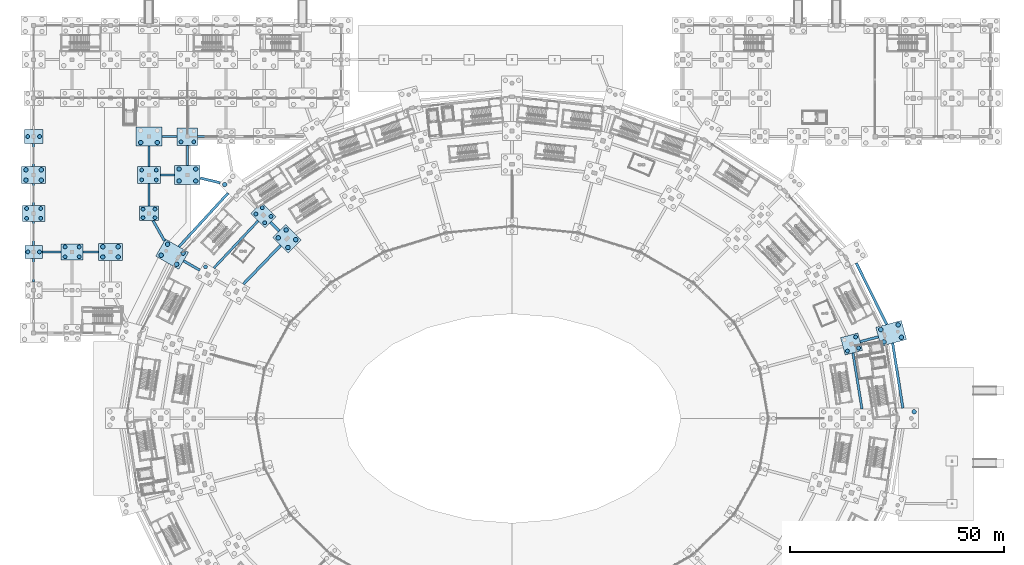
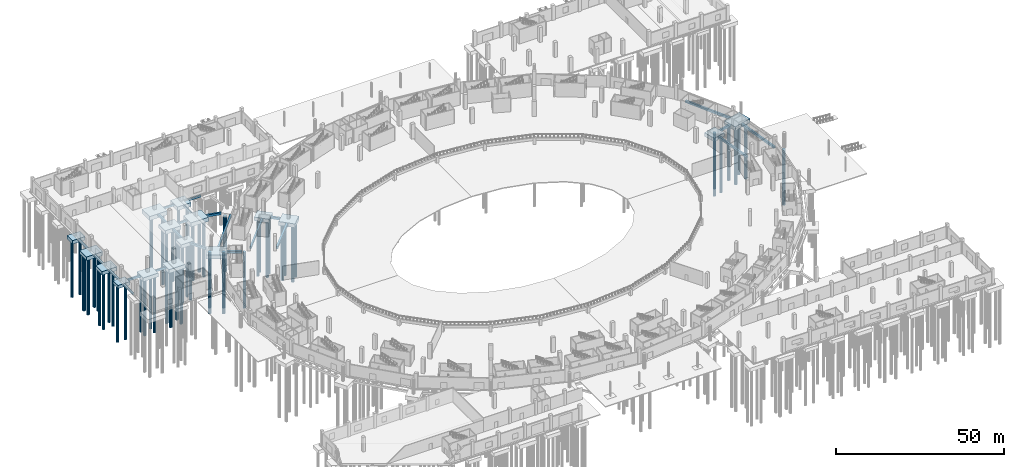
# One storey, part 9 of 103: 58 piles, 39 footings.
"""IFC4 building model written with IfcOpenShell, lengths in metres."""

from ifc_helpers import new_model, si_unit, direction, frame, origin, origin_2d, place, context, subcontext, project, spatial, rectangle, circle, extrude, material, material_profile, profile_set, type_object, element, save


model = new_model("IFC4")

# Units and contexts
model_context = context("Model", 3, precision=1e-05, world=origin(), true_north=direction((0.0, 1.0)))
body_context = subcontext(model_context, "Body", "Model", "MODEL_VIEW")
ifc_project = project(units=[si_unit("LENGTHUNIT", "METRE"), si_unit("AREAUNIT", "SQUARE_METRE"), si_unit("VOLUMEUNIT", "CUBIC_METRE"), si_unit("PLANEANGLEUNIT", "RADIAN"), si_unit("MASSUNIT", "GRAM", prefix="KILO")], contexts=[model_context])

# Site, building, storey
site_placement = place(None, origin())
site = spatial("IfcSite", under=ifc_project, at=site_placement, CompositionType="ELEMENT")
building_placement = place(site_placement, origin())
building = spatial("IfcBuilding", under=site, at=building_placement, Name="Zevraka Park Crest Stadium", CompositionType="ELEMENT")
storey_placement = place(building_placement, origin())
storey = spatial("IfcBuildingStorey", under=building, at=storey_placement, Name="L00", CompositionType="ELEMENT", Elevation=0.0)

# Footings
ifc_material_1 = material(Name="Concrete C35/45", Category="concrete")
ifc_material_profile_1 = material_profile(ifc_material_1, rectangle(XDim=0.60009765625, YDim=0.800048828125, at=origin_2d()), Name="GB 800x600")
ifc_profile_set_1 = profile_set([ifc_material_profile_1], Name="Concrete C35/45")
footing_type_1 = type_object("IfcFootingType", Name="GB01", PredefinedType="FOOTING_BEAM", material=ifc_profile_set_1)
footing_1_placement = place(storey_placement, frame((203.52197265625, 94.39990234375, -0.75), z_axis=(-0.155405085969, 0.987850828443, 0.0), x_axis=(-0.987850828443, -0.155405085969, 0.0)))
element("IfcFooting", 1, at=footing_1_placement, inside=storey, type_object=footing_type_1, Name="Ground Tie Beam GB01 CIR-DE-00", PredefinedType="FOOTING_BEAM", context=body_context, shape_type="SweptSolid", body=[
    extrude(rectangle(XDim=0.60009765625, YDim=0.800048828125, at=origin_2d()), origin(), (0.0, 0.0, 1.0), 15.4052734375),
])
footing_2_placement = place(storey_placement, frame((193.52392578125, 109.9619140625, -0.75), z_axis=(0.965919326313, 0.258843302124, 0.0), x_axis=(-0.258843302124, 0.965919326313, 0.0)))
element("IfcFooting", 2, at=footing_2_placement, inside=storey, type_object=footing_type_1, Name="Ground Tie Beam GB01 RAD-CDE-01", PredefinedType="FOOTING_BEAM", context=body_context, shape_type="SweptSolid", body=[
    extrude(rectangle(XDim=0.60009765625, YDim=0.800048828125, at=origin_2d()), origin(), (0.0, 0.0, 1.0), 4.40087890625),
])
footing_3_placement = place(storey_placement, frame((199.72802734375, 114.0048828125, -0.75), z_axis=(-0.443637192232, 0.896206472677, 0.0), x_axis=(-0.896206472677, -0.443637192232, 0.0)))
element("IfcFooting", 3, at=footing_3_placement, inside=storey, type_object=footing_type_1, Name="Ground Tie Beam GB01 CIR-DE-01", PredefinedType="FOOTING_BEAM", context=body_context, shape_type="SweptSolid", body=[
    extrude(rectangle(XDim=0.60009765625, YDim=0.800048828125, at=origin_2d()), origin(), (0.0, 0.0, 1.0), 16.04443359375),
])
footing_4_placement = place(storey_placement, frame((57.51806640625, 135.8759765625, -0.75), z_axis=(-0.707106781187, 0.707106781187, 0.0), x_axis=(-0.707106781187, -0.707106781187, 0.0)))
element("IfcFooting", 4, at=footing_4_placement, inside=storey, type_object=footing_type_1, Name="Ground Tie Beam GB01 RAD-BC-09", PredefinedType="FOOTING_BEAM", context=body_context, shape_type="SweptSolid", body=[
    extrude(rectangle(XDim=0.60009765625, YDim=0.800048828125, at=origin_2d()), origin(), (0.0, 0.0, 1.0), 2.875),
])
footing_5_placement = place(storey_placement, frame((45.529052734375, 144.75390625, -0.75), z_axis=(-0.675871136653, -0.737019814278, 0.0), x_axis=(0.737019814278, -0.675871136653, 0.0)))
element("IfcFooting", 5, at=footing_5_placement, inside=storey, type_object=footing_type_1, Name="Ground Tie Beam GB01 CIR-DE-09", PredefinedType="FOOTING_BEAM", context=body_context, shape_type="SweptSolid", body=[
    extrude(rectangle(XDim=0.60009765625, YDim=0.800048828125, at=origin_2d()), origin(), (0.0, 0.0, 1.0), 17.05224609375),
])
footing_6_placement = place(storey_placement, frame((38.906982421875, 126.699951171875, -0.75), z_axis=(-0.866004457284, 0.500036278648, 0.0), x_axis=(-0.500036278648, -0.866004457284, 0.0)))
element("IfcFooting", 6, at=footing_6_placement, inside=storey, type_object=footing_type_1, Name="Ground Tie Beam GB01 RAD-CDE-10", PredefinedType="FOOTING_BEAM", context=body_context, shape_type="SweptSolid", body=[
    extrude(rectangle(XDim=0.60009765625, YDim=0.800048828125, at=origin_2d()), origin(), (0.0, 0.0, 1.0), 4.399658203125),
])
footing_7_placement = place(storey_placement, frame((27.962890625, 138.300048828125, -0.75), z_axis=(0.493127216515, -0.869957210633, 0.0), x_axis=(0.869957210633, 0.493127216515, 0.0)))
element("IfcFooting", 7, at=footing_7_placement, inside=storey, type_object=footing_type_1, Name="Ground Tie Beam GB01 WTIE-4-R", PredefinedType="FOOTING_BEAM", context=body_context, shape_type="SweptSolid", body=[
    extrude(rectangle(XDim=0.60009765625, YDim=0.800048828125, at=origin_2d()), origin(), (0.0, 0.0, 1.0), 5.4267578125),
])
footing_8_placement = place(storey_placement, frame((39.0, 148.285888671875, -0.75), z_axis=(0.97278604748, -0.23170521321, 0.0), x_axis=(0.23170521321, 0.97278604748, 0.0)))
element("IfcFooting", 8, at=footing_8_placement, inside=storey, type_object=footing_type_1, Name="Ground Tie Beam GB01 WTIE-5-S", PredefinedType="FOOTING_BEAM", context=body_context, shape_type="SweptSolid", body=[
    extrude(rectangle(XDim=0.60009765625, YDim=0.800048828125, at=origin_2d()), origin(), (0.0, 0.0, 1.0), 4.806884765625),
])
ifc_material_2 = material(Name="Concrete C35/45", Category="concrete")
ifc_material_profile_2 = material_profile(ifc_material_2, rectangle(XDim=0.5, YDim=0.699951171875, at=origin_2d()), Name="GB 700x500")
ifc_profile_set_2 = profile_set([ifc_material_profile_2], Name="Concrete C35/45")
footing_type_2 = type_object("IfcFootingType", Name="GB02", PredefinedType="FOOTING_BEAM", material=ifc_profile_set_2)
footing_9_placement = place(storey_placement, frame((0.0, 123.949951171875, -0.699951171875), z_axis=(0.0, 1.0, 0.0), x_axis=(-1.0, 0.0, 0.0)))
element("IfcFooting", 9, at=footing_9_placement, inside=storey, type_object=footing_type_2, Name="Ground Tie Beam GB02 WY-1-P", PredefinedType="FOOTING_BEAM", context=body_context, shape_type="SweptSolid", body=[
    extrude(rectangle(XDim=0.5, YDim=0.699951171875, at=origin_2d()), origin(), (0.0, 0.0, 1.0), 5.550048828125),
])
footing_10_placement = place(storey_placement, frame((2.050048828125, 131.0, -0.699951171875), z_axis=(1.0, 0.0, 0.0), x_axis=(0.0, 1.0, 0.0)))
element("IfcFooting", 10, at=footing_10_placement, inside=storey, type_object=footing_type_2, Name="Ground Tie Beam GB02 WX-1-Q", PredefinedType="FOOTING_BEAM", context=body_context, shape_type="SweptSolid", body=[
    extrude(rectangle(XDim=0.5, YDim=0.699951171875, at=origin_2d()), origin(), (0.0, 0.0, 1.0), 4.349853515625),
])
footing_11_placement = place(storey_placement, frame((0.0, 132.5, -0.699951171875), z_axis=(0.0, 1.0, 0.0), x_axis=(-1.0, 0.0, 0.0)))
element("IfcFooting", 11, at=footing_11_placement, inside=storey, type_object=footing_type_2, Name="Ground Tie Beam GB02 WY-1-Q", PredefinedType="FOOTING_BEAM", context=body_context, shape_type="SweptSolid", body=[
    extrude(rectangle(XDim=0.5, YDim=0.699951171875, at=origin_2d()), origin(), (0.0, 0.0, 1.0), 5.60009765625),
])
footing_12_placement = place(storey_placement, frame((0.0, 141.89990234375, -0.699951171875), z_axis=(0.0, 1.0, 0.0), x_axis=(-1.0, 0.0, 0.0)))
element("IfcFooting", 12, at=footing_12_placement, inside=storey, type_object=footing_type_2, Name="Ground Tie Beam GB02 WY-1-R", PredefinedType="FOOTING_BEAM", context=body_context, shape_type="SweptSolid", body=[
    extrude(rectangle(XDim=0.5, YDim=0.699951171875, at=origin_2d()), origin(), (0.0, 0.0, 1.0), 5.10009765625),
])
footing_13_placement = place(storey_placement, frame((0.0, 151.0, -0.699951171875), z_axis=(0.0, 1.0, 0.0), x_axis=(-1.0, 0.0, 0.0)))
element("IfcFooting", 13, at=footing_13_placement, inside=storey, type_object=footing_type_2, Name="Ground Tie Beam GB02 WY-1-S", PredefinedType="FOOTING_BEAM", context=body_context, shape_type="SweptSolid", body=[
    extrude(rectangle(XDim=0.5, YDim=0.699951171875, at=origin_2d()), origin(), (0.0, 0.0, 1.0), 5.39990234375),
])
footing_14_placement = place(storey_placement, frame((11.60009765625, 131.0, -0.699951171875), z_axis=(1.0, 0.0, 0.0), x_axis=(0.0, 1.0, 0.0)))
element("IfcFooting", 14, at=footing_14_placement, inside=storey, type_object=footing_type_2, Name="Ground Tie Beam GB02 WX-2-Q", PredefinedType="FOOTING_BEAM", context=body_context, shape_type="SweptSolid", body=[
    extrude(rectangle(XDim=0.5, YDim=0.699951171875, at=origin_2d()), origin(), (0.0, 0.0, 1.0), 3.599853515625),
])
footing_15_placement = place(storey_placement, frame((27.0, 141.699951171875, -0.699951171875), z_axis=(0.0, 1.0, 0.0), x_axis=(-1.0, 0.0, 0.0)))
element("IfcFooting", 15, at=footing_15_placement, inside=storey, type_object=footing_type_2, Name="Ground Tie Beam GB02 WY-4-R", PredefinedType="FOOTING_BEAM", context=body_context, shape_type="SweptSolid", body=[
    extrude(rectangle(XDim=0.5, YDim=0.699951171875, at=origin_2d()), origin(), (0.0, 0.0, 1.0), 5.324951171875),
])
footing_16_placement = place(storey_placement, frame((29.675048828125, 149.0, -0.699951171875), z_axis=(1.0, 0.0, 0.0), x_axis=(0.0, 1.0, 0.0)))
element("IfcFooting", 16, at=footing_16_placement, inside=storey, type_object=footing_type_2, Name="Ground Tie Beam GB02 WX-4-S", PredefinedType="FOOTING_BEAM", context=body_context, shape_type="SweptSolid", body=[
    extrude(rectangle(XDim=0.5, YDim=0.699951171875, at=origin_2d()), origin(), (0.0, 0.0, 1.0), 3.324951171875),
])
footing_17_placement = place(storey_placement, frame((27.0, 150.97509765625, -0.699951171875), z_axis=(0.0, 1.0, 0.0), x_axis=(-1.0, 0.0, 0.0)))
element("IfcFooting", 17, at=footing_17_placement, inside=storey, type_object=footing_type_2, Name="Ground Tie Beam GB02 WY-4-S", PredefinedType="FOOTING_BEAM", context=body_context, shape_type="SweptSolid", body=[
    extrude(rectangle(XDim=0.5, YDim=0.699951171875, at=origin_2d()), origin(), (0.0, 0.0, 1.0), 4.77490234375),
])
footing_18_placement = place(storey_placement, frame((30.0, 158.0, -0.699951171875), z_axis=(1.0, 0.0, 0.0), x_axis=(0.0, 1.0, 0.0)))
element("IfcFooting", 18, at=footing_18_placement, inside=storey, type_object=footing_type_2, Name="Ground Tie Beam GB02 WX-4-T", PredefinedType="FOOTING_BEAM", context=body_context, shape_type="SweptSolid", body=[
    extrude(rectangle(XDim=0.5, YDim=0.699951171875, at=origin_2d()), origin(), (0.0, 0.0, 1.0), 3.60009765625),
])
footing_19_placement = place(storey_placement, frame((36.0, 151.25, -0.699951171875), z_axis=(0.0, 1.0, 0.0), x_axis=(-1.0, 0.0, 0.0)))
element("IfcFooting", 19, at=footing_19_placement, inside=storey, type_object=footing_type_2, Name="Ground Tie Beam GB02 WY-5-S", PredefinedType="FOOTING_BEAM", context=body_context, shape_type="SweptSolid", body=[
    extrude(rectangle(XDim=0.5, YDim=0.699951171875, at=origin_2d()), origin(), (0.0, 0.0, 1.0), 4.699951171875),
])
footing_20_placement = place(storey_placement, frame((38.39990234375, 158.0, -0.699951171875), z_axis=(1.0, 0.0, 0.0), x_axis=(0.0, 1.0, 0.0)))
element("IfcFooting", 20, at=footing_20_placement, inside=storey, type_object=footing_type_2, Name="Ground Tie Beam GB02 WX-5-T", PredefinedType="FOOTING_BEAM", context=body_context, shape_type="SweptSolid", body=[
    extrude(rectangle(XDim=0.5, YDim=0.699951171875, at=origin_2d()), origin(), (0.0, 0.0, 1.0), 4.47509765625),
])
ifc_material_3 = material(Name="Concrete C35/45", Category="concrete")
ifc_material_profile_3 = material_profile(ifc_material_3, rectangle(XDim=0.64990234375, YDim=0.89990234375, at=origin_2d()), Name="GB 900x650")
ifc_profile_set_3 = profile_set([ifc_material_profile_3], Name="Concrete C35/45")
footing_type_3 = type_object("IfcFootingType", Name="GB03", PredefinedType="FOOTING_BEAM", material=ifc_profile_set_3)
footing_21_placement = place(storey_placement, frame((57.8310546875, 132.52197265625, -0.800048828125), z_axis=(-0.692845501085, -0.721086063952, 0.0), x_axis=(0.721086063952, -0.692845501085, 0.0)))
element("IfcFooting", 21, at=footing_21_placement, inside=storey, type_object=footing_type_3, Name="Ground Tie Beam GB03 CIR-B-09", PredefinedType="FOOTING_BEAM", context=body_context, shape_type="SweptSolid", body=[
    extrude(rectangle(XDim=0.64990234375, YDim=0.89990234375, at=origin_2d()), origin(), (0.0, 0.0, 1.0), 12.56982421875),
])
ifc_material_4 = material(Name="Concrete C35/45", Category="concrete")
ifc_material_profile_4 = material_profile(ifc_material_4, rectangle(XDim=0.550048828125, YDim=0.75, at=origin_2d()), Name="GB 750x550")
ifc_profile_set_4 = profile_set([ifc_material_profile_4], Name="Concrete C35/45")
footing_type_4 = type_object("IfcFootingType", Name="GB04", PredefinedType="FOOTING_BEAM", material=ifc_profile_set_4)
footing_22_placement = place(storey_placement, frame((193.946044921875, 94.199951171875, -0.72509765625), z_axis=(-0.158971653084, 0.98728314759, 0.0), x_axis=(-0.98728314759, -0.158971653084, 0.0)))
element("IfcFooting", 22, at=footing_22_placement, inside=storey, type_object=footing_type_4, Name="Ground Tie Beam GB04 CIR-C-00", PredefinedType="FOOTING_BEAM", context=body_context, shape_type="SweptSolid", body=[
    extrude(rectangle(XDim=0.550048828125, YDim=0.75, at=origin_2d()), origin(), (0.0, 0.0, 1.0), 13.30419921875),
])
footing_23_placement = place(storey_placement, frame((52.572998046875, 138.27490234375, -0.72509765625), z_axis=(-0.684286663636, -0.729213111491, 0.0), x_axis=(0.729213111491, -0.684286663636, 0.0)))
element("IfcFooting", 23, at=footing_23_placement, inside=storey, type_object=footing_type_4, Name="Ground Tie Beam GB04 CIR-C-09", PredefinedType="FOOTING_BEAM", context=body_context, shape_type="SweptSolid", body=[
    extrude(rectangle(XDim=0.550048828125, YDim=0.75, at=origin_2d()), origin(), (0.0, 0.0, 1.0), 15.156005859375),
])
ifc_material_5 = material(Name="Concrete C35/45", Category="concrete")
footing_type_5 = type_object("IfcFootingType", Name="PC05", PredefinedType="PILE_CAP", material=ifc_material_5)
footing_24_placement = place(storey_placement, frame((191.49609375, 109.4189453125, -1.64990234375), z_axis=(0.0, 0.0, 1.0), x_axis=(0.965925826289, 0.258819045103, 0.0)))
element("IfcFooting", 24, at=footing_24_placement, inside=storey, type_object=footing_type_5, Name="Foundation PC05 C-01", PredefinedType="PILE_CAP", context=body_context, shape_type="SweptSolid", body=[
    extrude(rectangle(XDim=4.199951171875, YDim=4.199951171875, at=origin_2d()), origin(), (0.0, 0.0, 1.0), 1.300048828125),
])
ifc_material_6 = material(Name="Concrete C35/45", Category="concrete")
footing_type_6 = type_object("IfcFootingType", Name="PC07", PredefinedType="PILE_CAP", material=ifc_material_6)
for number, where, z_axis, x_axis, name in (
    (25, (200.76904296875, 111.903076171875, -1.7998046875), (0.0, 0.0, 1.0), (0.965925826289, 0.258819045103, 0.0), "Foundation PC07 DE-01"),
    (26, (32.412109375, 130.449951171875, -1.7998046875), (0.0, 0.0, 1.0), (-0.866025403784, 0.5, 0.0), "Foundation PC07 DE-10"),
):
    element("IfcFooting", number, at=place(storey_placement, frame(where, z_axis=z_axis, x_axis=x_axis)), inside=storey, type_object=footing_type_6, Name=name, PredefinedType="PILE_CAP", context=body_context, shape_type="SweptSolid", body=[
        extrude(rectangle(XDim=6.199951171875, YDim=4.60009765625, at=origin_2d()), origin(), (0.0, 0.0, 1.0), 1.449951171875),
    ])
ifc_material_7 = material(Name="Concrete C35/45", Category="concrete")
footing_type_7 = type_object("IfcFootingType", Name="PC10", PredefinedType="PILE_CAP", material=ifc_material_7)
footing_25_placement = place(storey_placement, frame((0.0, 131.0, -1.5498046875), z_axis=(0.0, 0.0, 1.0), x_axis=(1.0, 0.0, 0.0)))
element("IfcFooting", 27, at=footing_25_placement, inside=storey, type_object=footing_type_7, Name="Foundation PC10 W-1-Q", PredefinedType="PILE_CAP", context=body_context, shape_type="SweptSolid", body=[
    extrude(rectangle(XDim=4.10009765625, YDim=3.0, at=origin_2d()), origin(), (0.0, 0.0, 1.0), 1.199951171875),
])
ifc_material_8 = material(Name="Concrete C35/45", Category="concrete")
footing_type_8 = type_object("IfcFootingType", Name="PC11", PredefinedType="PILE_CAP", material=ifc_material_8)
for number, where, z_axis, x_axis, name in (
    (28, (0.0, 140.0, -1.699951171875), (0.0, 0.0, 1.0), (1.0, 0.0, 0.0), "Foundation PC11 W-1-R"),
    (29, (9.0, 131.0, -1.699951171875), (0.0, 0.0, 1.0), (1.0, 0.0, 0.0), "Foundation PC11 W-2-Q"),
):
    element("IfcFooting", number, at=place(storey_placement, frame(where, z_axis=z_axis, x_axis=x_axis)), inside=storey, type_object=footing_type_8, Name=name, PredefinedType="PILE_CAP", context=body_context, shape_type="SweptSolid", body=[
        extrude(rectangle(XDim=5.199951171875, YDim=3.800048828125, at=origin_2d()), origin(), (0.0, 0.0, 1.0), 1.35009765625),
    ])
ifc_material_9 = material(Name="Concrete C35/45", Category="concrete")
footing_type_9 = type_object("IfcFootingType", Name="PC12", PredefinedType="PILE_CAP", material=ifc_material_9)
for number, where, z_axis, x_axis, name in (
    (30, (0.0, 149.0, -1.75), (0.0, 0.0, 1.0), (1.0, 0.0, 0.0), "Foundation PC12 W-1-S"),
    (31, (18.0, 131.0, -1.75), (0.0, 0.0, 1.0), (1.0, 0.0, 0.0), "Foundation PC12 W-3-Q"),
):
    element("IfcFooting", number, at=place(storey_placement, frame(where, z_axis=z_axis, x_axis=x_axis)), inside=storey, type_object=footing_type_9, Name=name, PredefinedType="PILE_CAP", context=body_context, shape_type="SweptSolid", body=[
        extrude(rectangle(XDim=5.60009765625, YDim=4.0, at=origin_2d()), origin(), (0.0, 0.0, 1.0), 1.39990234375),
    ])
ifc_material_10 = material(Name="Concrete C35/45", Category="concrete")
footing_type_10 = type_object("IfcFootingType", Name="PC13", PredefinedType="PILE_CAP", material=ifc_material_10)
footing_26_placement = place(storey_placement, frame((53.804931640625, 139.587890625, -1.64990234375), z_axis=(0.0, 0.0, 1.0), x_axis=(-0.707106781187, 0.707106781187, 0.0)))
element("IfcFooting", 32, at=footing_26_placement, inside=storey, type_object=footing_type_10, Name="Foundation PC13 C-09", PredefinedType="PILE_CAP", context=body_context, shape_type="SweptSolid", body=[
    extrude(rectangle(XDim=4.75, YDim=3.60009765625, at=origin_2d()), origin(), (0.0, 0.0, 1.0), 1.300048828125),
])
ifc_material_11 = material(Name="Concrete C35/45", Category="concrete")
footing_type_11 = type_object("IfcFootingType", Name="PC14", PredefinedType="PILE_CAP", material=ifc_material_11)
footing_27_placement = place(storey_placement, frame((59.321044921875, 134.072998046875, -1.75), z_axis=(0.0, 0.0, 1.0), x_axis=(-0.707106781187, 0.707106781187, 0.0)))
element("IfcFooting", 33, at=footing_27_placement, inside=storey, type_object=footing_type_11, Name="Foundation PC14 B-09", PredefinedType="PILE_CAP", context=body_context, shape_type="SweptSolid", body=[
    extrude(rectangle(XDim=5.10009765625, YDim=4.300048828125, at=origin_2d()), origin(), (0.0, 0.0, 1.0), 1.39990234375),
])
ifc_material_12 = material(Name="Concrete C35/45", Category="concrete")
footing_type_12 = type_object("IfcFootingType", Name="PC16", PredefinedType="PILE_CAP", material=ifc_material_12)
footing_28_placement = place(storey_placement, frame((0.0, 158.0, -1.60009765625), z_axis=(0.0, 0.0, 1.0), x_axis=(1.0, 0.0, 0.0)))
element("IfcFooting", 34, at=footing_28_placement, inside=storey, type_object=footing_type_12, Name="Foundation PC16 W-1-T", PredefinedType="PILE_CAP", context=body_context, shape_type="SweptSolid", body=[
    extrude(rectangle(XDim=4.35009765625, YDim=3.199951171875, at=origin_2d()), origin(), (0.0, 0.0, 1.0), 1.25),
])
ifc_material_13 = material(Name="Concrete C35/45", Category="concrete")
footing_type_13 = type_object("IfcFootingType", Name="PC17", PredefinedType="PILE_CAP", material=ifc_material_13)
footing_29_placement = place(storey_placement, frame((27.0, 140.0, -1.64990234375), z_axis=(0.0, 0.0, 1.0), x_axis=(1.0, 0.0, 0.0)))
element("IfcFooting", 35, at=footing_29_placement, inside=storey, type_object=footing_type_13, Name="Foundation PC17 W-4-R", PredefinedType="PILE_CAP", context=body_context, shape_type="SweptSolid", body=[
    extrude(rectangle(XDim=4.5, YDim=3.39990234375, at=origin_2d()), origin(), (0.0, 0.0, 1.0), 1.300048828125),
])
ifc_material_14 = material(Name="Concrete C35/45", Category="concrete")
footing_type_14 = type_object("IfcFootingType", Name="PC18", PredefinedType="PILE_CAP", material=ifc_material_14)
footing_30_placement = place(storey_placement, frame((27.0, 149.0, -1.72998046875), z_axis=(0.0, 0.0, 1.0), x_axis=(1.0, 0.0, 0.0)))
element("IfcFooting", 36, at=footing_30_placement, inside=storey, type_object=footing_type_14, Name="Foundation PC18 W-4-S", PredefinedType="PILE_CAP", context=body_context, shape_type="SweptSolid", body=[
    extrude(rectangle(XDim=5.35009765625, YDim=3.949951171875, at=origin_2d()), origin(), (0.0, 0.0, 1.0), 1.3798828125),
])
ifc_material_15 = material(Name="Concrete C35/45", Category="concrete")
footing_type_15 = type_object("IfcFootingType", Name="PC19", PredefinedType="PILE_CAP", material=ifc_material_15)
for number, where, z_axis, x_axis, name in (
    (37, (27.0, 158.0, -1.830078125), (0.0, 0.0, 1.0), (1.0, 0.0, 0.0), "Foundation PC19 W-4-T"),
    (38, (36.0, 149.0, -1.830078125), (0.0, 0.0, 1.0), (1.0, 0.0, 0.0), "Foundation PC19 W-5-S"),
):
    element("IfcFooting", number, at=place(storey_placement, frame(where, z_axis=z_axis, x_axis=x_axis)), inside=storey, type_object=footing_type_15, Name=name, PredefinedType="PILE_CAP", context=body_context, shape_type="SweptSolid", body=[
        extrude(rectangle(XDim=6.0, YDim=4.5, at=origin_2d()), origin(), (0.0, 0.0, 1.0), 1.47998046875),
    ])
ifc_material_16 = material(Name="Concrete C35/45", Category="concrete")
footing_type_16 = type_object("IfcFootingType", Name="PC20", PredefinedType="PILE_CAP", material=ifc_material_16)
footing_31_placement = place(storey_placement, frame((36.0, 158.0, -1.699951171875), z_axis=(0.0, 0.0, 1.0), x_axis=(1.0, 0.0, 0.0)))
element("IfcFooting", 39, at=footing_31_placement, inside=storey, type_object=footing_type_16, Name="Foundation PC20 W-5-T", PredefinedType="PILE_CAP", context=body_context, shape_type="SweptSolid", body=[
    extrude(rectangle(XDim=4.800048828125, YDim=4.10009765625, at=origin_2d()), origin(), (0.0, 0.0, 1.0), 1.35009765625),
])

# Piles
ifc_material_17 = material(Name="Concrete C35/45", Category="concrete")
ifc_material_profile_5 = material_profile(ifc_material_17, circle(Radius=0.449951171875, at=origin_2d()), Name="PILE D900")
ifc_profile_set_5 = profile_set([ifc_material_profile_5], Name="Concrete C35/45")
pile_type_1 = type_object("IfcPileType", Name="PL01", PredefinedType="BORED", material=ifc_profile_set_5)
for number, where, z_axis, x_axis, name in (
    (40, (190.541015625, 107.76611328125, -1.550048828125), (0.0, 0.0, -1.0), (1.0, 0.0, 0.0), "Bored Pile PL01 C-01-1"),
    (41, (193.14892578125, 108.464111328125, -1.550048828125), (0.0, 0.0, -1.0), (1.0, 0.0, 0.0), "Bored Pile PL01 C-01-2"),
    (42, (192.450927734375, 111.072021484375, -1.550048828125), (0.0, 0.0, -1.0), (1.0, 0.0, 0.0), "Bored Pile PL01 C-01-4"),
    (43, (55.572998046875, 139.304931640625, -1.550048828125), (0.0, 0.0, -1.0), (1.0, 0.0, 0.0), "Bored Pile PL01 C-09-1"),
    (44, (53.52197265625, 141.35595703125, -1.550048828125), (0.0, 0.0, -1.0), (1.0, 0.0, 0.0), "Bored Pile PL01 C-09-2"),
    (45, (54.087890625, 137.820068359375, -1.550048828125), (0.0, 0.0, -1.0), (1.0, 0.0, 0.0), "Bored Pile PL01 C-09-3"),
    (46, (52.037109375, 139.87109375, -1.550048828125), (0.0, 0.0, -1.0), (1.0, 0.0, 0.0), "Bored Pile PL01 C-09-4"),
    (47, (40.23193359375, 127.493896484375, -1.550048828125), (0.0, 0.0, -1.0), (1.0, 0.0, 0.0), "Bored Pile PL01 C-10-2"),
):
    element("IfcPile", number, at=place(storey_placement, frame(where, z_axis=z_axis, x_axis=x_axis)), inside=storey, type_object=pile_type_1, Name=name, PredefinedType="BORED", context=body_context, shape_type="SweptSolid", body=[
        extrude(circle(Radius=0.449951171875, at=origin_2d()), origin(), (0.0, 0.0, 1.0), 20.449951171875),
    ])
for number, where, z_axis, x_axis, name in (
    (48, (-1.35009765625, 131.0, -1.449951171875), (0.0, 0.0, -1.0), (1.0, 0.0, 0.0), "Bored Pile PL01 W-1-Q-1"),
    (49, (1.35009765625, 131.0, -1.449951171875), (0.0, 0.0, -1.0), (1.0, 0.0, 0.0), "Bored Pile PL01 W-1-Q-2"),
):
    element("IfcPile", number, at=place(storey_placement, frame(where, z_axis=z_axis, x_axis=x_axis)), inside=storey, type_object=pile_type_1, Name=name, PredefinedType="BORED", context=body_context, shape_type="SweptSolid", body=[
        extrude(circle(Radius=0.449951171875, at=origin_2d()), origin(), (0.0, 0.0, 1.0), 20.550048828125),
    ])
for number, where, z_axis, x_axis, name in (
    (50, (-1.64990234375, 138.85009765625, -1.60009765625), (0.0, 0.0, -1.0), (1.0, 0.0, 0.0), "Bored Pile PL01 W-1-R-1"),
    (51, (1.64990234375, 138.85009765625, -1.60009765625), (0.0, 0.0, -1.0), (1.0, 0.0, 0.0), "Bored Pile PL01 W-1-R-2"),
    (52, (-1.64990234375, 141.14990234375, -1.60009765625), (0.0, 0.0, -1.0), (1.0, 0.0, 0.0), "Bored Pile PL01 W-1-R-3"),
    (53, (1.64990234375, 141.14990234375, -1.60009765625), (0.0, 0.0, -1.0), (1.0, 0.0, 0.0), "Bored Pile PL01 W-1-R-4"),
):
    element("IfcPile", number, at=place(storey_placement, frame(where, z_axis=z_axis, x_axis=x_axis)), inside=storey, type_object=pile_type_1, Name=name, PredefinedType="BORED", context=body_context, shape_type="SweptSolid", body=[
        extrude(circle(Radius=0.449951171875, at=origin_2d()), origin(), (0.0, 0.0, 1.0), 20.39990234375),
    ])
for number, where, z_axis, x_axis, name in (
    (54, (-1.39990234375, 158.0, -1.5), (0.0, 0.0, -1.0), (1.0, 0.0, 0.0), "Bored Pile PL01 W-1-T-1"),
    (55, (1.39990234375, 158.0, -1.5), (0.0, 0.0, -1.0), (1.0, 0.0, 0.0), "Bored Pile PL01 W-1-T-2"),
):
    element("IfcPile", number, at=place(storey_placement, frame(where, z_axis=z_axis, x_axis=x_axis)), inside=storey, type_object=pile_type_1, Name=name, PredefinedType="BORED", context=body_context, shape_type="SweptSolid", body=[
        extrude(circle(Radius=0.449951171875, at=origin_2d()), origin(), (0.0, 0.0, 1.0), 20.5),
    ])
for number, where, z_axis, x_axis, name in (
    (56, (7.35009765625, 129.85009765625, -1.60009765625), (0.0, 0.0, -1.0), (1.0, 0.0, 0.0), "Bored Pile PL01 W-2-Q-1"),
    (57, (10.64990234375, 129.85009765625, -1.60009765625), (0.0, 0.0, -1.0), (1.0, 0.0, 0.0), "Bored Pile PL01 W-2-Q-2"),
    (58, (7.35009765625, 132.14990234375, -1.60009765625), (0.0, 0.0, -1.0), (1.0, 0.0, 0.0), "Bored Pile PL01 W-2-Q-3"),
    (59, (10.64990234375, 132.14990234375, -1.60009765625), (0.0, 0.0, -1.0), (1.0, 0.0, 0.0), "Bored Pile PL01 W-2-Q-4"),
):
    element("IfcPile", number, at=place(storey_placement, frame(where, z_axis=z_axis, x_axis=x_axis)), inside=storey, type_object=pile_type_1, Name=name, PredefinedType="BORED", context=body_context, shape_type="SweptSolid", body=[
        extrude(circle(Radius=0.449951171875, at=origin_2d()), origin(), (0.0, 0.0, 1.0), 20.39990234375),
    ])
for number, where, z_axis, x_axis, name in (
    (60, (25.60009765625, 139.0, -1.550048828125), (0.0, 0.0, -1.0), (1.0, 0.0, 0.0), "Bored Pile PL01 W-4-R-1"),
    (61, (28.39990234375, 139.0, -1.550048828125), (0.0, 0.0, -1.0), (1.0, 0.0, 0.0), "Bored Pile PL01 W-4-R-2"),
    (62, (25.60009765625, 141.0, -1.550048828125), (0.0, 0.0, -1.0), (1.0, 0.0, 0.0), "Bored Pile PL01 W-4-R-3"),
    (63, (28.39990234375, 141.0, -1.550048828125), (0.0, 0.0, -1.0), (1.0, 0.0, 0.0), "Bored Pile PL01 W-4-R-4"),
):
    element("IfcPile", number, at=place(storey_placement, frame(where, z_axis=z_axis, x_axis=x_axis)), inside=storey, type_object=pile_type_1, Name=name, PredefinedType="BORED", context=body_context, shape_type="SweptSolid", body=[
        extrude(circle(Radius=0.449951171875, at=origin_2d()), origin(), (0.0, 0.0, 1.0), 20.449951171875),
    ])
for number, where, z_axis, x_axis, name in (
    (64, (25.300048828125, 147.85009765625, -1.6298828125), (0.0, 0.0, -1.0), (1.0, 0.0, 0.0), "Bored Pile PL01 W-4-S-1"),
    (65, (28.699951171875, 147.85009765625, -1.6298828125), (0.0, 0.0, -1.0), (1.0, 0.0, 0.0), "Bored Pile PL01 W-4-S-2"),
    (66, (25.300048828125, 150.14990234375, -1.6298828125), (0.0, 0.0, -1.0), (1.0, 0.0, 0.0), "Bored Pile PL01 W-4-S-3"),
    (67, (28.699951171875, 150.14990234375, -1.6298828125), (0.0, 0.0, -1.0), (1.0, 0.0, 0.0), "Bored Pile PL01 W-4-S-4"),
):
    element("IfcPile", number, at=place(storey_placement, frame(where, z_axis=z_axis, x_axis=x_axis)), inside=storey, type_object=pile_type_1, Name=name, PredefinedType="BORED", context=body_context, shape_type="SweptSolid", body=[
        extrude(circle(Radius=0.449951171875, at=origin_2d()), origin(), (0.0, 0.0, 1.0), 20.3701171875),
    ])
for number, where, z_axis, x_axis, name in (
    (68, (34.5, 156.75, -1.60009765625), (0.0, 0.0, -1.0), (1.0, 0.0, 0.0), "Bored Pile PL01 W-5-T-1"),
    (69, (37.5, 156.75, -1.60009765625), (0.0, 0.0, -1.0), (1.0, 0.0, 0.0), "Bored Pile PL01 W-5-T-2"),
):
    element("IfcPile", number, at=place(storey_placement, frame(where, z_axis=z_axis, x_axis=x_axis)), inside=storey, type_object=pile_type_1, Name=name, PredefinedType="BORED", context=body_context, shape_type="SweptSolid", body=[
        extrude(circle(Radius=0.449951171875, at=origin_2d()), origin(), (0.0, 0.0, 1.0), 20.39990234375),
    ])
ifc_material_18 = material(Name="Concrete C35/45", Category="concrete")
ifc_material_profile_6 = material_profile(ifc_material_18, circle(Radius=0.52490234375, at=origin_2d()), Name="PILE D1050")
ifc_profile_set_6 = profile_set([ifc_material_profile_6], Name="Concrete C35/45")
pile_type_2 = type_object("IfcPileType", Name="PL02", PredefinedType="BORED", material=ifc_profile_set_6)
pile_placement = place(storey_placement, frame((206.14990234375, 93.550048828125, -1.800048828125), z_axis=(0.0, 0.0, -1.0), x_axis=(1.0, 0.0, 0.0)))
element("IfcPile", 70, at=pile_placement, inside=storey, type_object=pile_type_2, Name="Bored Pile PL02 DE-00-4", PredefinedType="BORED", context=body_context, shape_type="SweptSolid", body=[
    extrude(circle(Radius=0.52490234375, at=origin_2d()), origin(), (0.0, 0.0, 1.0), 20.199951171875),
])
for number, where, z_axis, x_axis, name in (
    (71, (199.12890625, 109.910888671875, -1.699951171875), (0.0, 0.0, -1.0), (1.0, 0.0, 0.0), "Bored Pile PL02 DE-01-1"),
    (72, (203.18603515625, 110.998046875, -1.699951171875), (0.0, 0.0, -1.0), (1.0, 0.0, 0.0), "Bored Pile PL02 DE-01-2"),
    (73, (198.35205078125, 112.80810546875, -1.699951171875), (0.0, 0.0, -1.0), (1.0, 0.0, 0.0), "Bored Pile PL02 DE-01-3"),
    (74, (202.408935546875, 113.89501953125, -1.699951171875), (0.0, 0.0, -1.0), (1.0, 0.0, 0.0), "Bored Pile PL02 DE-01-4"),
):
    element("IfcPile", number, at=place(storey_placement, frame(where, z_axis=z_axis, x_axis=x_axis)), inside=storey, type_object=pile_type_2, Name=name, PredefinedType="BORED", context=body_context, shape_type="SweptSolid", body=[
        extrude(circle(Radius=0.52490234375, at=origin_2d()), origin(), (0.0, 0.0, 1.0), 20.300048828125),
    ])
for number, where, z_axis, x_axis, name in (
    (75, (61.3720703125, 133.861083984375, -1.64990234375), (0.0, 0.0, -1.0), (1.0, 0.0, 0.0), "Bored Pile PL02 B-09-1"),
    (76, (59.10888671875, 136.1240234375, -1.64990234375), (0.0, 0.0, -1.0), (1.0, 0.0, 0.0), "Bored Pile PL02 B-09-2"),
    (77, (59.532958984375, 132.02197265625, -1.64990234375), (0.0, 0.0, -1.0), (1.0, 0.0, 0.0), "Bored Pile PL02 B-09-3"),
    (78, (57.27001953125, 134.284912109375, -1.64990234375), (0.0, 0.0, -1.0), (1.0, 0.0, 0.0), "Bored Pile PL02 B-09-4"),
):
    element("IfcPile", number, at=place(storey_placement, frame(where, z_axis=z_axis, x_axis=x_axis)), inside=storey, type_object=pile_type_2, Name=name, PredefinedType="BORED", context=body_context, shape_type="SweptSolid", body=[
        extrude(circle(Radius=0.52490234375, at=origin_2d()), origin(), (0.0, 0.0, 1.0), 20.35009765625),
    ])
for number, where, z_axis, x_axis, name in (
    (79, (44.718994140625, 146.76611328125, -1.699951171875), (0.0, 0.0, -1.0), (1.0, 0.0, 0.0), "Bored Pile PL02 DE-09-4"),
    (80, (34.98095703125, 130.698974609375, -1.699951171875), (0.0, 0.0, -1.0), (1.0, 0.0, 0.0), "Bored Pile PL02 DE-10-1"),
    (81, (31.343017578125, 132.799072265625, -1.699951171875), (0.0, 0.0, -1.0), (1.0, 0.0, 0.0), "Bored Pile PL02 DE-10-2"),
    (82, (33.48095703125, 128.10107421875, -1.699951171875), (0.0, 0.0, -1.0), (1.0, 0.0, 0.0), "Bored Pile PL02 DE-10-3"),
    (83, (29.843017578125, 130.200927734375, -1.699951171875), (0.0, 0.0, -1.0), (1.0, 0.0, 0.0), "Bored Pile PL02 DE-10-4"),
):
    element("IfcPile", number, at=place(storey_placement, frame(where, z_axis=z_axis, x_axis=x_axis)), inside=storey, type_object=pile_type_2, Name=name, PredefinedType="BORED", context=body_context, shape_type="SweptSolid", body=[
        extrude(circle(Radius=0.52490234375, at=origin_2d()), origin(), (0.0, 0.0, 1.0), 20.300048828125),
    ])
for number, where, z_axis, x_axis, name in (
    (84, (-1.800048828125, 147.800048828125, -1.64990234375), (0.0, 0.0, -1.0), (1.0, 0.0, 0.0), "Bored Pile PL02 W-1-S-1"),
    (85, (1.800048828125, 147.800048828125, -1.64990234375), (0.0, 0.0, -1.0), (1.0, 0.0, 0.0), "Bored Pile PL02 W-1-S-2"),
    (86, (-1.800048828125, 150.199951171875, -1.64990234375), (0.0, 0.0, -1.0), (1.0, 0.0, 0.0), "Bored Pile PL02 W-1-S-3"),
    (87, (1.800048828125, 150.199951171875, -1.64990234375), (0.0, 0.0, -1.0), (1.0, 0.0, 0.0), "Bored Pile PL02 W-1-S-4"),
    (88, (16.199951171875, 129.800048828125, -1.64990234375), (0.0, 0.0, -1.0), (1.0, 0.0, 0.0), "Bored Pile PL02 W-3-Q-1"),
    (89, (19.800048828125, 129.800048828125, -1.64990234375), (0.0, 0.0, -1.0), (1.0, 0.0, 0.0), "Bored Pile PL02 W-3-Q-2"),
    (90, (16.199951171875, 132.199951171875, -1.64990234375), (0.0, 0.0, -1.0), (1.0, 0.0, 0.0), "Bored Pile PL02 W-3-Q-3"),
    (91, (19.800048828125, 132.199951171875, -1.64990234375), (0.0, 0.0, -1.0), (1.0, 0.0, 0.0), "Bored Pile PL02 W-3-Q-4"),
):
    element("IfcPile", number, at=place(storey_placement, frame(where, z_axis=z_axis, x_axis=x_axis)), inside=storey, type_object=pile_type_2, Name=name, PredefinedType="BORED", context=body_context, shape_type="SweptSolid", body=[
        extrude(circle(Radius=0.52490234375, at=origin_2d()), origin(), (0.0, 0.0, 1.0), 20.35009765625),
    ])
for number, where, z_axis, x_axis, name in (
    (92, (25.050048828125, 156.60009765625, -1.72998046875), (0.0, 0.0, -1.0), (1.0, 0.0, 0.0), "Bored Pile PL02 W-4-T-1"),
    (93, (28.949951171875, 156.60009765625, -1.72998046875), (0.0, 0.0, -1.0), (1.0, 0.0, 0.0), "Bored Pile PL02 W-4-T-2"),
    (94, (34.050048828125, 147.60009765625, -1.72998046875), (0.0, 0.0, -1.0), (1.0, 0.0, 0.0), "Bored Pile PL02 W-5-S-1"),
    (95, (37.949951171875, 147.60009765625, -1.72998046875), (0.0, 0.0, -1.0), (1.0, 0.0, 0.0), "Bored Pile PL02 W-5-S-2"),
    (96, (34.050048828125, 150.39990234375, -1.72998046875), (0.0, 0.0, -1.0), (1.0, 0.0, 0.0), "Bored Pile PL02 W-5-S-3"),
    (97, (37.949951171875, 150.39990234375, -1.72998046875), (0.0, 0.0, -1.0), (1.0, 0.0, 0.0), "Bored Pile PL02 W-5-S-4"),
):
    element("IfcPile", number, at=place(storey_placement, frame(where, z_axis=z_axis, x_axis=x_axis)), inside=storey, type_object=pile_type_2, Name=name, PredefinedType="BORED", context=body_context, shape_type="SweptSolid", body=[
        extrude(circle(Radius=0.52490234375, at=origin_2d()), origin(), (0.0, 0.0, 1.0), 20.27001953125),
    ])

save(model, "model.ifc")
